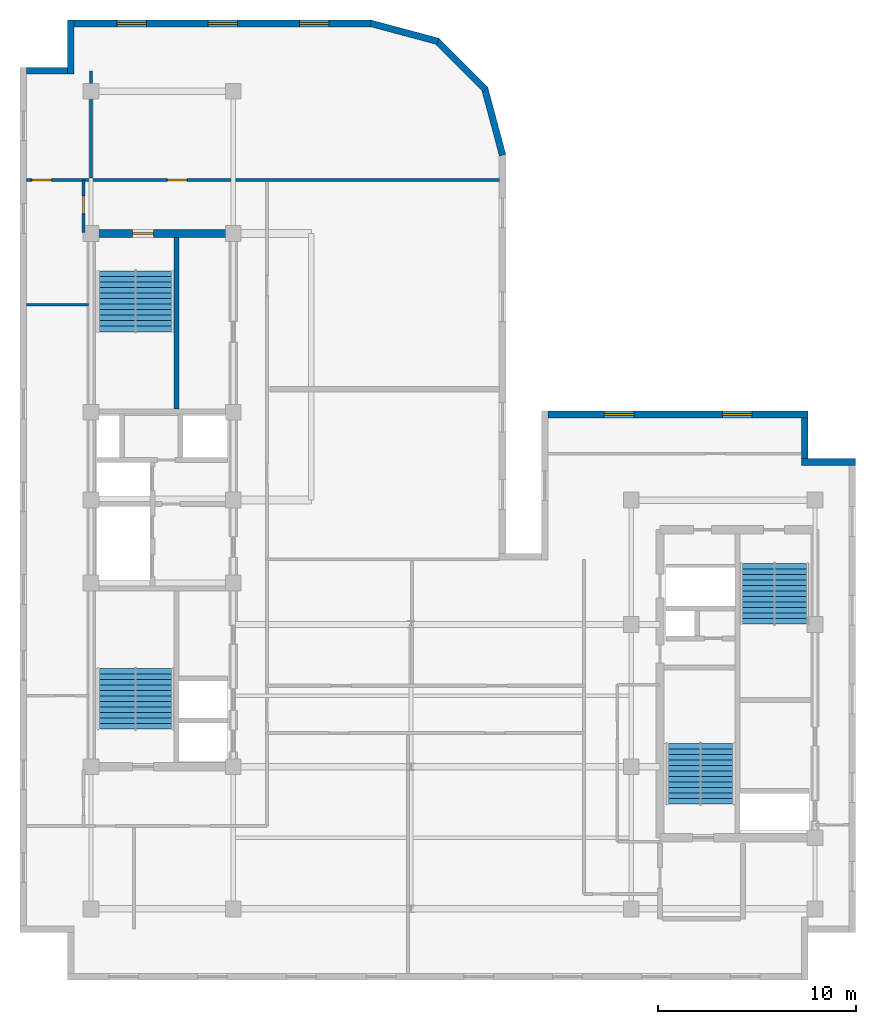
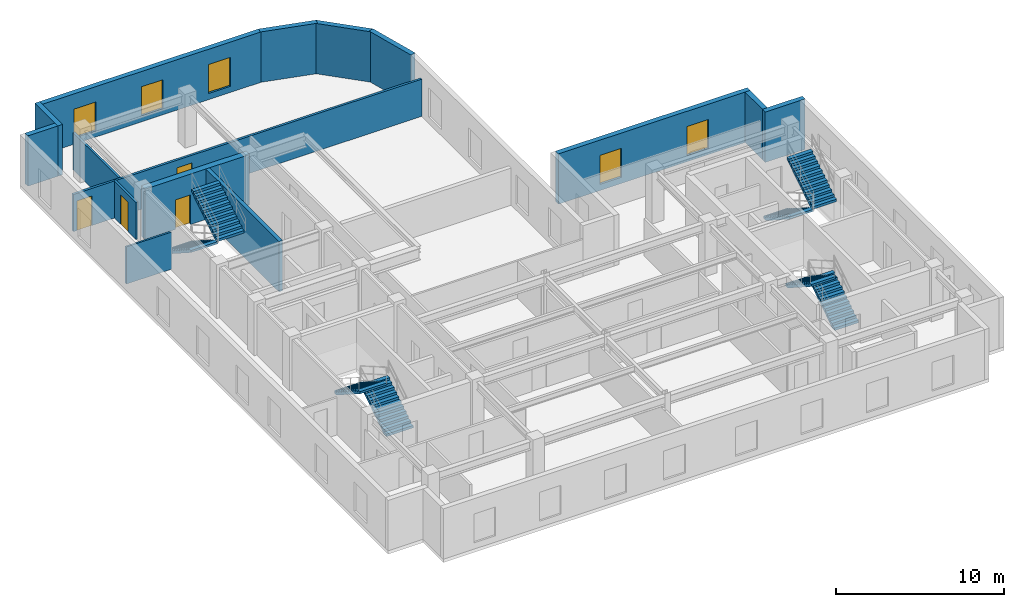
# One storey, part 6 of 9: 15 walls, 8 stair flights, 5 windows, 4 doors, 9 openings, 4 elements without a shape of their own.
"""IFC4 building model written with IfcOpenShell, lengths in metres."""

from ifc_helpers import new_model, entity, si_unit, converted_unit, direction, frame, origin_with_axes, origin_2d_with_axis, place, context, subcontext, project, spatial, polyline, rectangle, outline, extrude, material, layer, layer_set, type_object, element, fill, aggregate, save


model = new_model("IFC4")

# Units and contexts
model_context = context("Model", 3, precision=1e-05, world=origin_with_axes(), true_north=direction((0.0, 1.0)))
body_context = subcontext(model_context, "Body", "Model", "MODEL_VIEW")
ifc_project = project(units=[si_unit("LENGTHUNIT", "METRE"), si_unit("AREAUNIT", "SQUARE_METRE"), si_unit("VOLUMEUNIT", "CUBIC_METRE"), converted_unit("PLANEANGLEUNIT", "DEGREE", entity("IfcPlaneAngleMeasure", 0.017453292519943295), si_unit("PLANEANGLEUNIT", "RADIAN"), dimensions=[0, 0, 0, 0, 0, 0, 0]), si_unit("MASSUNIT", "GRAM", prefix="KILO"), si_unit("THERMODYNAMICTEMPERATUREUNIT", "KELVIN")], contexts=[model_context])

# Site, building, storey
site_placement = place(None, origin_with_axes())
site = spatial("IfcSite", under=ifc_project, at=site_placement, CompositionType="ELEMENT")
building_placement = place(site_placement, origin_with_axes())
building = spatial("IfcBuilding", under=site, at=building_placement, Name="Varnlund Millrace Tower", CompositionType="ELEMENT")
storey_placement = place(building_placement, frame((0.0, 0.0, 260.7), z_axis=(0.0, 0.0, 1.0), x_axis=(1.0, 0.0, 0.0)))
storey = spatial("IfcBuildingStorey", under=building, at=storey_placement, Name="L64", CompositionType="ELEMENT", Elevation=260.7)

# Wall, opening, door
ifc_material_1 = material(Name="Concrete C60/75", Category="concrete")
ifc_layer_1 = layer(ifc_material_1, 0.42, Name="Concrete C60/75")
ifc_layer_set_1 = layer_set([ifc_layer_1], Name="Concrete C60/75")
wall_type_1 = type_object("IfcWallType", Name="Type-CoreWall-Shear-420-C60", PredefinedType="SHEAR", material=ifc_layer_set_1)
wall_1_placement = place(storey_placement, frame((11.4, 37.8, 0.0), z_axis=(0.0, 0.0, 1.0), x_axis=(1.0, 0.0, 0.0)))
wall_1 = element("IfcWall", 1, at=wall_1_placement, inside=storey, type_object=wall_type_1, Name="Type-CoreWall-Shear-420-C60", PredefinedType="SHEAR", context=body_context, shape_type="SweptSolid", body=[
    extrude(outline(polyline([(0.0, -0.21), (7.2, -0.21), (7.2, 0.21), (0.0, 0.21), (0.0, -0.21)])), origin_with_axes(), (0.0, 0.0, 1.0), 3.66),
])
opening_1_placement = place(wall_1_placement, frame((2.625, 0.0, 0.0), z_axis=(0.0, 0.0, 1.0), x_axis=(1.0, 0.0, 0.0)))
opening_1 = element("IfcOpeningElement", 2, at=opening_1_placement, cuts=wall_1, Name="Opening L64:DR-STA2", PredefinedType="OPENING", context=body_context, shape_type="SweptSolid", body=[
    extrude(rectangle(XDim=1.05, YDim=0.44, at=origin_2d_with_axis()), origin_with_axes(), (0.0, 0.0, 1.0), 2.15),
])
ifc_material_2 = material(Name="Fire-rated hollow steel door", Category="steel")
door_type_1 = type_object("IfcDoorType", Name="Type-FireDoor-Stair-1050X2150", OperationType="NOTDEFINED", PredefinedType="DOOR", material=ifc_material_2)
door_1_placement = place(wall_1_placement, frame((2.625, 0.0, 0.0), z_axis=(0.0, 0.0, 1.0), x_axis=(1.0, 0.0, 0.0)))
door_1 = element("IfcDoor", 3, at=door_1_placement, inside=storey, type_object=door_type_1, Name="Type-FireDoor-Stair-1050X2150", OperationType="SINGLE_SWING_RIGHT", OverallHeight=2.15, OverallWidth=1.05, PredefinedType="DOOR", context=body_context, shape_type="SweptSolid", body=[
    extrude(rectangle(XDim=1.05, YDim=0.09, at=origin_2d_with_axis()), origin_with_axes(), (0.0, 0.0, 1.0), 2.15),
])
fill(opening_1, door_1)

# Wall, openings, windows
ifc_material_3 = material(Name="Precast concrete C50/60", Category="concrete")
ifc_layer_2 = layer(ifc_material_3, 0.34, Name="Precast concrete C50/60")
ifc_layer_set_2 = layer_set([ifc_layer_2], Name="Precast concrete C50/60")
wall_type_2 = type_object("IfcWallType", Name="Type-ExtWall-Precast-Upper-340", PredefinedType="SOLIDWALL", material=ifc_layer_set_2)
wall_2_placement = place(storey_placement, frame((34.54, 28.63, 0.0), z_axis=(0.0, 0.0, 1.0), x_axis=(1.0, 0.0, 0.0)))
wall_2 = element("IfcWall", 4, at=wall_2_placement, inside=storey, type_object=wall_type_2, Name="Type-ExtWall-Precast-Upper-340", PredefinedType="SOLIDWALL", context=body_context, shape_type="SweptSolid", body=[
    extrude(outline(polyline([(0.0, -0.17), (13.16, -0.17), (13.16, 0.17), (0.0, 0.17), (0.0, -0.17)])), origin_with_axes(), (0.0, 0.0, 1.0), 3.66),
])
opening_2_placement = place(wall_2_placement, frame((3.59, 0.0, 0.45), z_axis=(0.0, 0.0, 1.0), x_axis=(1.0, 0.0, 0.0)))
opening_2 = element("IfcOpeningElement", 5, at=opening_2_placement, cuts=wall_2, Name="Opening L64:WN-02", PredefinedType="OPENING", context=body_context, shape_type="SweptSolid", body=[
    extrude(rectangle(XDim=1.5, YDim=0.36, at=origin_2d_with_axis()), origin_with_axes(), (0.0, 0.0, 1.0), 2.1),
])
opening_3_placement = place(wall_2_placement, frame((9.57, 0.0, 0.45), z_axis=(0.0, 0.0, 1.0), x_axis=(1.0, 0.0, 0.0)))
opening_3 = element("IfcOpeningElement", 6, at=opening_3_placement, cuts=wall_2, Name="Opening L64:WN-03", PredefinedType="OPENING", context=body_context, shape_type="SweptSolid", body=[
    extrude(rectangle(XDim=1.5, YDim=0.36, at=origin_2d_with_axis()), origin_with_axes(), (0.0, 0.0, 1.0), 2.1),
])
ifc_material_4 = material(Name="Argon low-e triple glazing in thermally broken bronze frame", Category="glass")
window_type = type_object("IfcWindowType", Name="Type-Window-Punched-1500X2100", PartitioningType="SINGLE_PANEL", PredefinedType="WINDOW", material=ifc_material_4)
window_1_placement = place(wall_2_placement, frame((3.59, 0.0, 0.45), z_axis=(0.0, 0.0, 1.0), x_axis=(1.0, 0.0, 0.0)))
window_1 = element("IfcWindow", 7, at=window_1_placement, inside=storey, type_object=window_type, Name="Type-Window-Punched-1500X2100", OverallHeight=2.1, OverallWidth=1.5, PredefinedType="WINDOW", context=body_context, shape_type="SweptSolid", body=[
    extrude(rectangle(XDim=1.5, YDim=0.09, at=origin_2d_with_axis()), origin_with_axes(), (0.0, 0.0, 1.0), 2.1),
])
fill(opening_2, window_1)
window_2_placement = place(wall_2_placement, frame((9.57, 0.0, 0.45), z_axis=(0.0, 0.0, 1.0), x_axis=(1.0, 0.0, 0.0)))
window_2 = element("IfcWindow", 8, at=window_2_placement, inside=storey, type_object=window_type, Name="Type-Window-Punched-1500X2100", OverallHeight=2.1, OverallWidth=1.5, PredefinedType="WINDOW", context=body_context, shape_type="SweptSolid", body=[
    extrude(rectangle(XDim=1.5, YDim=0.09, at=origin_2d_with_axis()), origin_with_axes(), (0.0, 0.0, 1.0), 2.1),
])
fill(opening_3, window_2)

# Walls
wall_3_placement = place(storey_placement, frame((47.53, 28.46, 0.0), z_axis=(0.0, 0.0, 1.0), x_axis=(0.0, -1.0, 0.0)))
element("IfcWall", 9, at=wall_3_placement, inside=storey, type_object=wall_type_2, Name="Type-ExtWall-Precast-Upper-340", PredefinedType="SOLIDWALL", context=body_context, shape_type="SweptSolid", body=[
    extrude(outline(polyline([(0.0, -0.17), (2.06, -0.17), (2.06, 0.17), (0.0, 0.17), (0.0, -0.17)])), origin_with_axes(), (0.0, 0.0, 1.0), 3.66),
])
wall_4_placement = place(storey_placement, frame((47.36, 26.23, 0.0), z_axis=(0.0, 0.0, 1.0), x_axis=(1.0, 0.0, 0.0)))
element("IfcWall", 10, at=wall_4_placement, inside=storey, type_object=wall_type_2, Name="Type-ExtWall-Precast-Upper-340", PredefinedType="SOLIDWALL", context=body_context, shape_type="SweptSolid", body=[
    extrude(outline(polyline([(0.0, -0.17), (2.74, -0.17), (2.74, 0.17), (0.0, 0.17), (0.0, -0.17)])), origin_with_axes(), (0.0, 0.0, 1.0), 3.66),
])
wall_5_placement = place(storey_placement, frame((8.14, 46.03, 0.0), z_axis=(0.0, 0.0, 1.0), x_axis=(1.0, 0.0, 0.0)))
element("IfcWall", 11, at=wall_5_placement, inside=storey, type_object=wall_type_2, Name="Type-ExtWall-Precast-Upper-340", PredefinedType="SOLIDWALL", context=body_context, shape_type="SweptSolid", body=[
    extrude(outline(polyline([(0.0, -0.17), (2.06, -0.17), (2.06, 0.17), (0.0, 0.17), (0.0, -0.17)])), origin_with_axes(), (0.0, 0.0, 1.0), 3.66),
])
wall_6_placement = place(storey_placement, frame((10.37, 45.86, 0.0), z_axis=(0.0, 0.0, 1.0), x_axis=(0.0, 1.0, 0.0)))
element("IfcWall", 12, at=wall_6_placement, inside=storey, type_object=wall_type_2, Name="Type-ExtWall-Precast-Upper-340", PredefinedType="SOLIDWALL", context=body_context, shape_type="SweptSolid", body=[
    extrude(outline(polyline([(0.0, -0.17), (2.74, -0.17), (2.74, 0.17), (0.0, 0.17), (0.0, -0.17)])), origin_with_axes(), (0.0, 0.0, 1.0), 3.66),
])

# Wall, openings, windows
wall_7_placement = place(storey_placement, frame((10.54, 48.43, 0.0), z_axis=(0.0, 0.0, 1.0), x_axis=(1.0, 0.0, 0.0)))
wall_7 = element("IfcWall", 13, at=wall_7_placement, inside=storey, type_object=wall_type_2, Name="Type-ExtWall-Precast-Upper-340", PredefinedType="SOLIDWALL", context=body_context, shape_type="SweptSolid", body=[
    extrude(outline(polyline([(0.0, -0.17), (15.06, -0.17), (15.06, 0.17), (0.0, 0.17), (0.0, -0.17)])), origin_with_axes(), (0.0, 0.0, 1.0), 3.66),
])
opening_4_placement = place(wall_7_placement, frame((2.91, 0.0, 0.45), z_axis=(0.0, 0.0, 1.0), x_axis=(1.0, 0.0, 0.0)))
opening_4 = element("IfcOpeningElement", 14, at=opening_4_placement, cuts=wall_7, Name="Opening L64:WN-25", PredefinedType="OPENING", context=body_context, shape_type="SweptSolid", body=[
    extrude(rectangle(XDim=1.5, YDim=0.36, at=origin_2d_with_axis()), origin_with_axes(), (0.0, 0.0, 1.0), 2.1),
])
opening_5_placement = place(wall_7_placement, frame((7.53, 0.0, 0.45), z_axis=(0.0, 0.0, 1.0), x_axis=(1.0, 0.0, 0.0)))
opening_5 = element("IfcOpeningElement", 15, at=opening_5_placement, cuts=wall_7, Name="Opening L64:WN-26", PredefinedType="OPENING", context=body_context, shape_type="SweptSolid", body=[
    extrude(rectangle(XDim=1.5, YDim=0.36, at=origin_2d_with_axis()), origin_with_axes(), (0.0, 0.0, 1.0), 2.1),
])
opening_6_placement = place(wall_7_placement, frame((12.15, 0.0, 0.45), z_axis=(0.0, 0.0, 1.0), x_axis=(1.0, 0.0, 0.0)))
opening_6 = element("IfcOpeningElement", 16, at=opening_6_placement, cuts=wall_7, Name="Opening L64:WN-27", PredefinedType="OPENING", context=body_context, shape_type="SweptSolid", body=[
    extrude(rectangle(XDim=1.5, YDim=0.36, at=origin_2d_with_axis()), origin_with_axes(), (0.0, 0.0, 1.0), 2.1),
])
window_3_placement = place(wall_7_placement, frame((2.91, 0.0, 0.45), z_axis=(0.0, 0.0, 1.0), x_axis=(1.0, 0.0, 0.0)))
window_3 = element("IfcWindow", 17, at=window_3_placement, inside=storey, type_object=window_type, Name="Type-Window-Punched-1500X2100", OverallHeight=2.1, OverallWidth=1.5, PredefinedType="WINDOW", context=body_context, shape_type="SweptSolid", body=[
    extrude(rectangle(XDim=1.5, YDim=0.09, at=origin_2d_with_axis()), origin_with_axes(), (0.0, 0.0, 1.0), 2.1),
])
fill(opening_4, window_3)
window_4_placement = place(wall_7_placement, frame((7.53, 0.0, 0.45), z_axis=(0.0, 0.0, 1.0), x_axis=(1.0, 0.0, 0.0)))
window_4 = element("IfcWindow", 18, at=window_4_placement, inside=storey, type_object=window_type, Name="Type-Window-Punched-1500X2100", OverallHeight=2.1, OverallWidth=1.5, PredefinedType="WINDOW", context=body_context, shape_type="SweptSolid", body=[
    extrude(rectangle(XDim=1.5, YDim=0.09, at=origin_2d_with_axis()), origin_with_axes(), (0.0, 0.0, 1.0), 2.1),
])
fill(opening_5, window_4)
window_5_placement = place(wall_7_placement, frame((12.15, 0.0, 0.45), z_axis=(0.0, 0.0, 1.0), x_axis=(1.0, 0.0, 0.0)))
window_5 = element("IfcWindow", 19, at=window_5_placement, inside=storey, type_object=window_type, Name="Type-Window-Punched-1500X2100", OverallHeight=2.1, OverallWidth=1.5, PredefinedType="WINDOW", context=body_context, shape_type="SweptSolid", body=[
    extrude(rectangle(XDim=1.5, YDim=0.09, at=origin_2d_with_axis()), origin_with_axes(), (0.0, 0.0, 1.0), 2.1),
])
fill(opening_6, window_5)

# Walls
wall_8_placement = place(storey_placement, frame((25.537, 48.441, 0.0), z_axis=(0.0, 0.0, 1.0), x_axis=(0.965934, -0.258788, 0.0)))
element("IfcWall", 20, at=wall_8_placement, inside=storey, type_object=wall_type_2, Name="Type-ExtWall-Precast-Upper-340", PredefinedType="SOLIDWALL", context=body_context, shape_type="SweptSolid", body=[
    extrude(outline(polyline([(0.0, -0.17), (3.539579, -0.17), (3.539579, 0.17), (0.0, 0.17), (0.0, -0.17)])), origin_with_axes(), (0.0, 0.0, 1.0), 3.66),
])
wall_9_placement = place(storey_placement, frame((28.866, 47.583, 0.0), z_axis=(0.0, 0.0, 1.0), x_axis=(0.707107, -0.707107, 0.0)))
element("IfcWall", 21, at=wall_9_placement, inside=storey, type_object=wall_type_2, Name="Type-ExtWall-Precast-Upper-340", PredefinedType="SOLIDWALL", context=body_context, shape_type="SweptSolid", body=[
    extrude(outline(polyline([(0.0, -0.17), (3.539777, -0.17), (3.539777, 0.17), (0.0, 0.17), (0.0, -0.17)])), origin_with_axes(), (0.0, 0.0, 1.0), 3.66),
])
wall_10_placement = place(storey_placement, frame((31.32, 45.175, 0.0), z_axis=(0.0, 0.0, 1.0), x_axis=(0.258788, -0.965934, 0.0)))
element("IfcWall", 22, at=wall_10_placement, inside=storey, type_object=wall_type_2, Name="Type-ExtWall-Precast-Upper-340", PredefinedType="SOLIDWALL", context=body_context, shape_type="SweptSolid", body=[
    extrude(outline(polyline([(0.0, -0.17), (3.539579, -0.17), (3.539579, 0.17), (0.0, 0.17), (0.0, -0.17)])), origin_with_axes(), (0.0, 0.0, 1.0), 3.66),
])

# Wall, openings, doors
ifc_material_5 = material(Name="Fire-rated gypsum board on cold-formed steel framing", Category="steel")
ifc_layer_3 = layer(ifc_material_5, 0.16, Name="Fire-rated gypsum board on cold-formed steel framing")
ifc_layer_set_3 = layer_set([ifc_layer_3], Name="Fire-rated gypsum board on cold-formed steel framing")
wall_type_3 = type_object("IfcWallType", Name="Type-Partition-Corridor-160", PredefinedType="PARTITIONING", material=ifc_layer_set_3)
wall_11_placement = place(storey_placement, frame((8.135, 40.5, 0.0), z_axis=(0.0, 0.0, 1.0), x_axis=(1.0, 0.0, 0.0)))
wall_11 = element("IfcWall", 23, at=wall_11_placement, inside=storey, type_object=wall_type_3, Name="Type-Partition-Corridor-160", PredefinedType="PARTITIONING", context=body_context, shape_type="SweptSolid", body=[
    extrude(outline(polyline([(0.0, -0.08), (23.93, -0.08), (23.93, 0.08), (0.0, 0.08), (0.0, -0.08)])), origin_with_axes(), (0.0, 0.0, 1.0), 2.7),
])
opening_7_placement = place(wall_11_placement, frame((0.76, 0.0, 0.0), z_axis=(0.0, 0.0, 1.0), x_axis=(1.0, 0.0, 0.0)))
opening_7 = element("IfcOpeningElement", 24, at=opening_7_placement, cuts=wall_11, Name="Opening L64:DR-WAN-01", PredefinedType="OPENING", context=body_context, shape_type="SweptSolid", body=[
    extrude(rectangle(XDim=1.0, YDim=0.18, at=origin_2d_with_axis()), origin_with_axes(), (0.0, 0.0, 1.0), 2.15),
])
opening_8_placement = place(wall_11_placement, frame((7.625, 0.0, 0.0), z_axis=(0.0, 0.0, 1.0), x_axis=(1.0, 0.0, 0.0)))
opening_8 = element("IfcOpeningElement", 25, at=opening_8_placement, cuts=wall_11, Name="Opening L64:DR-WAN-02", PredefinedType="OPENING", context=body_context, shape_type="SweptSolid", body=[
    extrude(rectangle(XDim=1.0, YDim=0.18, at=origin_2d_with_axis()), origin_with_axes(), (0.0, 0.0, 1.0), 2.15),
])
ifc_material_6 = material(Name="Solid-core white oak and bronze frame door")
door_type_2 = type_object("IfcDoorType", Name="Type-IntDoor-Office-1000X2150", OperationType="NOTDEFINED", PredefinedType="DOOR", material=ifc_material_6)
door_2_placement = place(wall_11_placement, frame((0.76, 0.0, 0.0), z_axis=(0.0, 0.0, 1.0), x_axis=(1.0, 0.0, 0.0)))
door_2 = element("IfcDoor", 26, at=door_2_placement, inside=storey, type_object=door_type_2, Name="Type-IntDoor-Office-1000X2150", OperationType="SINGLE_SWING_LEFT", OverallHeight=2.15, OverallWidth=1.0, PredefinedType="DOOR", context=body_context, shape_type="SweptSolid", body=[
    extrude(rectangle(XDim=1.0, YDim=0.09, at=origin_2d_with_axis()), origin_with_axes(), (0.0, 0.0, 1.0), 2.15),
])
fill(opening_7, door_2)
door_3_placement = place(wall_11_placement, frame((7.625, 0.0, 0.0), z_axis=(0.0, 0.0, 1.0), x_axis=(1.0, 0.0, 0.0)))
door_3 = element("IfcDoor", 27, at=door_3_placement, inside=storey, type_object=door_type_2, Name="Type-IntDoor-Office-1000X2150", OperationType="SINGLE_SWING_RIGHT", OverallHeight=2.15, OverallWidth=1.0, PredefinedType="DOOR", context=body_context, shape_type="SweptSolid", body=[
    extrude(rectangle(XDim=1.0, YDim=0.09, at=origin_2d_with_axis()), origin_with_axes(), (0.0, 0.0, 1.0), 2.15),
])
fill(opening_8, door_3)

# Wall, opening, door
wall_12_placement = place(storey_placement, frame((11.02, 37.85, 0.0), z_axis=(0.0, 0.0, 1.0), x_axis=(0.0, 1.0, 0.0)))
wall_12 = element("IfcWall", 28, at=wall_12_placement, inside=storey, type_object=wall_type_3, Name="Type-Partition-Corridor-160", PredefinedType="PARTITIONING", context=body_context, shape_type="SweptSolid", body=[
    extrude(outline(polyline([(0.0, -0.08), (2.65, -0.08), (2.65, 0.08), (0.0, 0.08), (0.0, -0.08)])), origin_with_axes(), (0.0, 0.0, 1.0), 2.7),
])
opening_9_placement = place(wall_12_placement, frame((1.4, 0.0, 0.0), z_axis=(0.0, 0.0, 1.0), x_axis=(1.0, 0.0, 0.0)))
opening_9 = element("IfcOpeningElement", 29, at=opening_9_placement, cuts=wall_12, Name="Opening L64:DR-WU-N1", PredefinedType="OPENING", context=body_context, shape_type="SweptSolid", body=[
    extrude(rectangle(XDim=0.9, YDim=0.18, at=origin_2d_with_axis()), origin_with_axes(), (0.0, 0.0, 1.0), 2.15),
])
ifc_material_7 = material(Name="Painted steel riser and closet door", Category="steel")
door_type_3 = type_object("IfcDoorType", Name="Type-IntDoor-Closet-900X2150", OperationType="NOTDEFINED", PredefinedType="DOOR", material=ifc_material_7)
door_4_placement = place(wall_12_placement, frame((1.4, 0.0, 0.0), z_axis=(0.0, 0.0, 1.0), x_axis=(1.0, 0.0, 0.0)))
door_4 = element("IfcDoor", 30, at=door_4_placement, inside=storey, type_object=door_type_3, Name="Type-IntDoor-Closet-900X2150", OperationType="SINGLE_SWING_RIGHT", OverallHeight=2.15, OverallWidth=0.9, PredefinedType="DOOR", context=body_context, shape_type="SweptSolid", body=[
    extrude(rectangle(XDim=0.9, YDim=0.09, at=origin_2d_with_axis()), origin_with_axes(), (0.0, 0.0, 1.0), 2.15),
])
fill(opening_9, door_4)

# Walls
ifc_material_8 = material(Name="Acoustic STC-50 gypsum board partition", Category="gypsum")
ifc_layer_4 = layer(ifc_material_8, 0.15, Name="Acoustic STC-50 gypsum board partition")
ifc_layer_set_4 = layer_set([ifc_layer_4], Name="Acoustic STC-50 gypsum board partition")
wall_type_4 = type_object("IfcWallType", Name="Type-Partition-Demising-150", PredefinedType="PARTITIONING", material=ifc_layer_set_4)
wall_13_placement = place(storey_placement, frame((11.4, 40.6, 0.0), z_axis=(0.0, 0.0, 1.0), x_axis=(0.0, 1.0, 0.0)))
element("IfcWall", 31, at=wall_13_placement, inside=storey, type_object=wall_type_4, Name="Type-Partition-Demising-150", PredefinedType="PARTITIONING", context=body_context, shape_type="SweptSolid", body=[
    extrude(outline(polyline([(0.0, -0.075), (5.42, -0.075), (5.42, 0.075), (0.0, 0.075), (0.0, -0.075)])), origin_with_axes(), (0.0, 0.0, 1.0), 2.7),
])
ifc_material_9 = material(Name="Gypsum board tenant partition", Category="gypsum")
ifc_layer_5 = layer(ifc_material_9, 0.125, Name="Gypsum board tenant partition")
ifc_layer_set_5 = layer_set([ifc_layer_5], Name="Gypsum board tenant partition")
wall_type_5 = type_object("IfcWallType", Name="Type-Partition-Tenant-125", PredefinedType="PARTITIONING", material=ifc_layer_set_5)
wall_14_placement = place(storey_placement, frame((8.135, 34.2, 0.0), z_axis=(0.0, 0.0, 1.0), x_axis=(1.0, 0.0, 0.0)))
element("IfcWall", 32, at=wall_14_placement, inside=storey, type_object=wall_type_5, Name="Type-Partition-Tenant-125", PredefinedType="PARTITIONING", context=body_context, shape_type="SweptSolid", body=[
    extrude(outline(polyline([(0.0, -0.0625), (3.135, -0.0625), (3.135, 0.0625), (0.0, 0.0625), (0.0, -0.0625)])), origin_with_axes(), (0.0, 0.0, 1.0), 2.7),
])
ifc_layer_6 = layer(ifc_material_1, 0.25, Name="Concrete C60/75")
ifc_layer_set_6 = layer_set([ifc_layer_6], Name="Concrete C60/75")
wall_type_6 = type_object("IfcWallType", Name="Type-StairWall-Shear-250", PredefinedType="SHEAR", material=ifc_layer_set_6)
wall_15_placement = place(storey_placement, frame((15.725, 28.9, 0.0), z_axis=(0.0, 0.0, 1.0), x_axis=(0.0, 1.0, 0.0)))
element("IfcWall", 33, at=wall_15_placement, inside=storey, type_object=wall_type_6, Name="Type-StairWall-Shear-250", PredefinedType="SHEAR", context=body_context, shape_type="SweptSolid", body=[
    extrude(outline(polyline([(0.0, -0.125), (8.69, -0.125), (8.69, 0.125), (0.0, 0.125), (0.0, -0.125)])), origin_with_axes(), (0.0, 0.0, 1.0), 3.66),
])

# Stair, stair flights
ifc_material_10 = material(Name="Concrete C50/60", Category="concrete")
stair_type_1 = type_object("IfcStairType", Name="Type-Stair-Dogleg-165-390", PredefinedType="HALF_TURN_STAIR", material=ifc_material_10)
stair_1_placement = place(storey_placement, origin_with_axes())
stair_1 = element("IfcStair", 34, at=stair_1_placement, inside=storey, type_object=stair_type_1, Name="Type-Stair-Dogleg-165-390", PredefinedType="HALF_TURN_STAIR")
stair_flight_type_1 = type_object("IfcStairFlightType", Name="Type-Dogleg-Run-165-390", PredefinedType="STRAIGHT", material=ifc_material_3)
stair_flight_1_placement = place(storey_placement, frame((42.225, 8.9, 0.0), z_axis=(1.0, 0.0, 0.0), x_axis=(0.0, 1.0, 0.0)))
stair_flight_1 = element("IfcStairFlight", 35, at=stair_flight_1_placement, type_object=stair_flight_type_1, Name="ST-B1 flight 1", NumberOfRisers=11, NumberOfTreads=11, PredefinedType="STRAIGHT", RiserHeight=0.177273, TreadLength=0.28, context=body_context, shape_type="SweptSolid", body=[
    extrude(outline(polyline([(0.0, 0.0), (0.0, 0.177273), (0.28, 0.177273), (0.28, 0.354545), (0.56, 0.354545), (0.56, 0.531818), (0.84, 0.531818), (0.84, 0.709091), (1.12, 0.709091), (1.12, 0.886364), (1.4, 0.886364), (1.4, 1.063636), (1.68, 1.063636), (1.68, 1.240909), (1.96, 1.240909), (1.96, 1.418182), (2.24, 1.418182), (2.24, 1.595454), (2.52, 1.595454), (2.52, 1.772727), (2.8, 1.772727), (2.8, 1.95), (3.08, 1.95), (3.08, 1.8), (0.28, 0.0), (0.0, 0.0)])), origin_with_axes(), (0.0, 0.0, 1.0), 1.65),
])
stair_flight_2_placement = place(storey_placement, frame((42.275, 11.98, 1.95), z_axis=(-1.0, 0.0, 0.0), x_axis=(0.0, -1.0, 0.0)))
stair_flight_2 = element("IfcStairFlight", 36, at=stair_flight_2_placement, type_object=stair_flight_type_1, Name="ST-B1 flight 2", NumberOfRisers=11, NumberOfTreads=11, PredefinedType="STRAIGHT", RiserHeight=0.177273, TreadLength=0.28, context=body_context, shape_type="SweptSolid", body=[
    extrude(outline(polyline([(0.0, 0.0), (0.0, 0.177273), (0.28, 0.177273), (0.28, 0.354545), (0.56, 0.354545), (0.56, 0.531818), (0.84, 0.531818), (0.84, 0.709091), (1.12, 0.709091), (1.12, 0.886364), (1.4, 0.886364), (1.4, 1.063636), (1.68, 1.063636), (1.68, 1.240909), (1.96, 1.240909), (1.96, 1.418182), (2.24, 1.418182), (2.24, 1.595454), (2.52, 1.595454), (2.52, 1.772727), (2.8, 1.772727), (2.8, 1.95), (3.08, 1.95), (3.08, 1.8), (0.28, 0.0), (0.0, 0.0)])), origin_with_axes(), (0.0, 0.0, 1.0), 1.65),
])
aggregate(stair_1, [stair_flight_1, stair_flight_2])

stair_2_placement = place(storey_placement, origin_with_axes())
stair_2 = element("IfcStair", 37, at=stair_2_placement, inside=storey, type_object=stair_type_1, Name="Type-Stair-Dogleg-165-390", PredefinedType="HALF_TURN_STAIR")
stair_flight_3_placement = place(storey_placement, frame((46.025, 21.1, 0.0), z_axis=(-1.0, 0.0, 0.0), x_axis=(0.0, -1.0, 0.0)))
stair_flight_3 = element("IfcStairFlight", 38, at=stair_flight_3_placement, type_object=stair_flight_type_1, Name="ST-B2 flight 1", NumberOfRisers=11, NumberOfTreads=11, PredefinedType="STRAIGHT", RiserHeight=0.177273, TreadLength=0.28, context=body_context, shape_type="SweptSolid", body=[
    extrude(outline(polyline([(0.0, 0.0), (0.0, 0.177273), (0.28, 0.177273), (0.28, 0.354545), (0.56, 0.354545), (0.56, 0.531818), (0.84, 0.531818), (0.84, 0.709091), (1.12, 0.709091), (1.12, 0.886364), (1.4, 0.886364), (1.4, 1.063636), (1.68, 1.063636), (1.68, 1.240909), (1.96, 1.240909), (1.96, 1.418182), (2.24, 1.418182), (2.24, 1.595454), (2.52, 1.595454), (2.52, 1.772727), (2.8, 1.772727), (2.8, 1.95), (3.08, 1.95), (3.08, 1.8), (0.28, 0.0), (0.0, 0.0)])), origin_with_axes(), (0.0, 0.0, 1.0), 1.65),
])
stair_flight_4_placement = place(storey_placement, frame((45.975, 18.02, 1.95), z_axis=(1.0, 0.0, 0.0), x_axis=(0.0, 1.0, 0.0)))
stair_flight_4 = element("IfcStairFlight", 39, at=stair_flight_4_placement, type_object=stair_flight_type_1, Name="ST-B2 flight 2", NumberOfRisers=11, NumberOfTreads=11, PredefinedType="STRAIGHT", RiserHeight=0.177273, TreadLength=0.28, context=body_context, shape_type="SweptSolid", body=[
    extrude(outline(polyline([(0.0, 0.0), (0.0, 0.177273), (0.28, 0.177273), (0.28, 0.354545), (0.56, 0.354545), (0.56, 0.531818), (0.84, 0.531818), (0.84, 0.709091), (1.12, 0.709091), (1.12, 0.886364), (1.4, 0.886364), (1.4, 1.063636), (1.68, 1.063636), (1.68, 1.240909), (1.96, 1.240909), (1.96, 1.418182), (2.24, 1.418182), (2.24, 1.595454), (2.52, 1.595454), (2.52, 1.772727), (2.8, 1.772727), (2.8, 1.95), (3.08, 1.95), (3.08, 1.8), (0.28, 0.0), (0.0, 0.0)])), origin_with_axes(), (0.0, 0.0, 1.0), 1.65),
])
aggregate(stair_2, [stair_flight_3, stair_flight_4])

stair_type_2 = type_object("IfcStairType", Name="Type-Stair-Dogleg-185-390", PredefinedType="HALF_TURN_STAIR", material=ifc_material_10)
stair_3_placement = place(storey_placement, origin_with_axes())
stair_3 = element("IfcStair", 40, at=stair_3_placement, inside=storey, type_object=stair_type_2, Name="Type-Stair-Dogleg-185-390", PredefinedType="HALF_TURN_STAIR")
stair_flight_type_2 = type_object("IfcStairFlightType", Name="Type-Dogleg-Run-185-390", PredefinedType="STRAIGHT", material=ifc_material_3)
stair_flight_5_placement = place(storey_placement, frame((13.625, 12.7, 0.0), z_axis=(1.0, 0.0, 0.0), x_axis=(0.0, 1.0, 0.0)))
stair_flight_5 = element("IfcStairFlight", 41, at=stair_flight_5_placement, type_object=stair_flight_type_2, Name="ST-A1 flight 1", NumberOfRisers=11, NumberOfTreads=11, PredefinedType="STRAIGHT", RiserHeight=0.177273, TreadLength=0.28, context=body_context, shape_type="SweptSolid", body=[
    extrude(outline(polyline([(0.0, 0.0), (0.0, 0.177273), (0.28, 0.177273), (0.28, 0.354545), (0.56, 0.354545), (0.56, 0.531818), (0.84, 0.531818), (0.84, 0.709091), (1.12, 0.709091), (1.12, 0.886364), (1.4, 0.886364), (1.4, 1.063636), (1.68, 1.063636), (1.68, 1.240909), (1.96, 1.240909), (1.96, 1.418182), (2.24, 1.418182), (2.24, 1.595454), (2.52, 1.595454), (2.52, 1.772727), (2.8, 1.772727), (2.8, 1.95), (3.08, 1.95), (3.08, 1.8), (0.28, 0.0), (0.0, 0.0)])), origin_with_axes(), (0.0, 0.0, 1.0), 1.85),
])
stair_flight_6_placement = place(storey_placement, frame((13.675, 15.78, 1.95), z_axis=(-1.0, 0.0, 0.0), x_axis=(0.0, -1.0, 0.0)))
stair_flight_6 = element("IfcStairFlight", 42, at=stair_flight_6_placement, type_object=stair_flight_type_2, Name="ST-A1 flight 2", NumberOfRisers=11, NumberOfTreads=11, PredefinedType="STRAIGHT", RiserHeight=0.177273, TreadLength=0.28, context=body_context, shape_type="SweptSolid", body=[
    extrude(outline(polyline([(0.0, 0.0), (0.0, 0.177273), (0.28, 0.177273), (0.28, 0.354545), (0.56, 0.354545), (0.56, 0.531818), (0.84, 0.531818), (0.84, 0.709091), (1.12, 0.709091), (1.12, 0.886364), (1.4, 0.886364), (1.4, 1.063636), (1.68, 1.063636), (1.68, 1.240909), (1.96, 1.240909), (1.96, 1.418182), (2.24, 1.418182), (2.24, 1.595454), (2.52, 1.595454), (2.52, 1.772727), (2.8, 1.772727), (2.8, 1.95), (3.08, 1.95), (3.08, 1.8), (0.28, 0.0), (0.0, 0.0)])), origin_with_axes(), (0.0, 0.0, 1.0), 1.85),
])
aggregate(stair_3, [stair_flight_5, stair_flight_6])

stair_4_placement = place(storey_placement, origin_with_axes())
stair_4 = element("IfcStair", 43, at=stair_4_placement, inside=storey, type_object=stair_type_2, Name="Type-Stair-Dogleg-185-390", PredefinedType="HALF_TURN_STAIR")
stair_flight_7_placement = place(storey_placement, frame((13.675, 35.9, 0.0), z_axis=(-1.0, 0.0, 0.0), x_axis=(0.0, -1.0, 0.0)))
stair_flight_7 = element("IfcStairFlight", 44, at=stair_flight_7_placement, type_object=stair_flight_type_2, Name="ST-A2 flight 1", NumberOfRisers=11, NumberOfTreads=11, PredefinedType="STRAIGHT", RiserHeight=0.177273, TreadLength=0.28, context=body_context, shape_type="SweptSolid", body=[
    extrude(outline(polyline([(0.0, 0.0), (0.0, 0.177273), (0.28, 0.177273), (0.28, 0.354545), (0.56, 0.354545), (0.56, 0.531818), (0.84, 0.531818), (0.84, 0.709091), (1.12, 0.709091), (1.12, 0.886364), (1.4, 0.886364), (1.4, 1.063636), (1.68, 1.063636), (1.68, 1.240909), (1.96, 1.240909), (1.96, 1.418182), (2.24, 1.418182), (2.24, 1.595454), (2.52, 1.595454), (2.52, 1.772727), (2.8, 1.772727), (2.8, 1.95), (3.08, 1.95), (3.08, 1.8), (0.28, 0.0), (0.0, 0.0)])), origin_with_axes(), (0.0, 0.0, 1.0), 1.85),
])
stair_flight_8_placement = place(storey_placement, frame((13.625, 32.82, 1.95), z_axis=(1.0, 0.0, 0.0), x_axis=(0.0, 1.0, 0.0)))
stair_flight_8 = element("IfcStairFlight", 45, at=stair_flight_8_placement, type_object=stair_flight_type_2, Name="ST-A2 flight 2", NumberOfRisers=11, NumberOfTreads=11, PredefinedType="STRAIGHT", RiserHeight=0.177273, TreadLength=0.28, context=body_context, shape_type="SweptSolid", body=[
    extrude(outline(polyline([(0.0, 0.0), (0.0, 0.177273), (0.28, 0.177273), (0.28, 0.354545), (0.56, 0.354545), (0.56, 0.531818), (0.84, 0.531818), (0.84, 0.709091), (1.12, 0.709091), (1.12, 0.886364), (1.4, 0.886364), (1.4, 1.063636), (1.68, 1.063636), (1.68, 1.240909), (1.96, 1.240909), (1.96, 1.418182), (2.24, 1.418182), (2.24, 1.595454), (2.52, 1.595454), (2.52, 1.772727), (2.8, 1.772727), (2.8, 1.95), (3.08, 1.95), (3.08, 1.8), (0.28, 0.0), (0.0, 0.0)])), origin_with_axes(), (0.0, 0.0, 1.0), 1.85),
])
aggregate(stair_4, [stair_flight_7, stair_flight_8])

save(model, "model.ifc")
